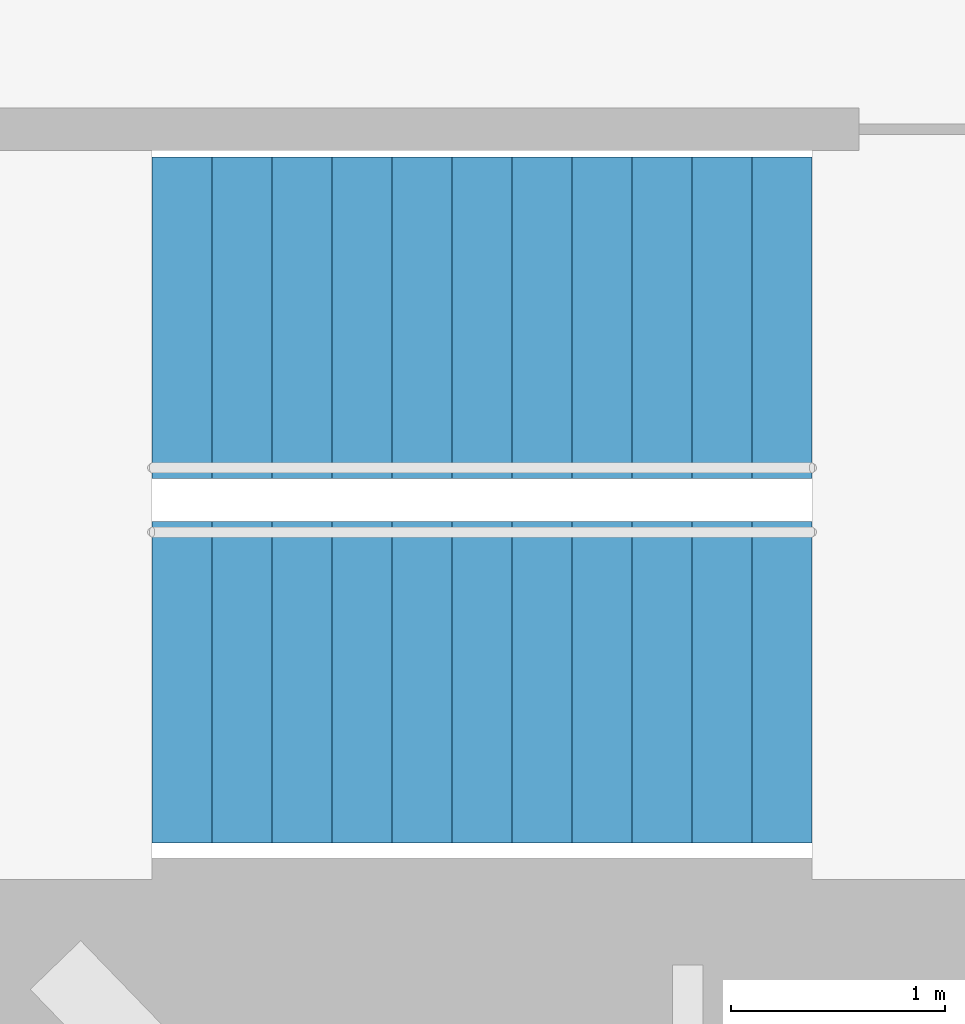
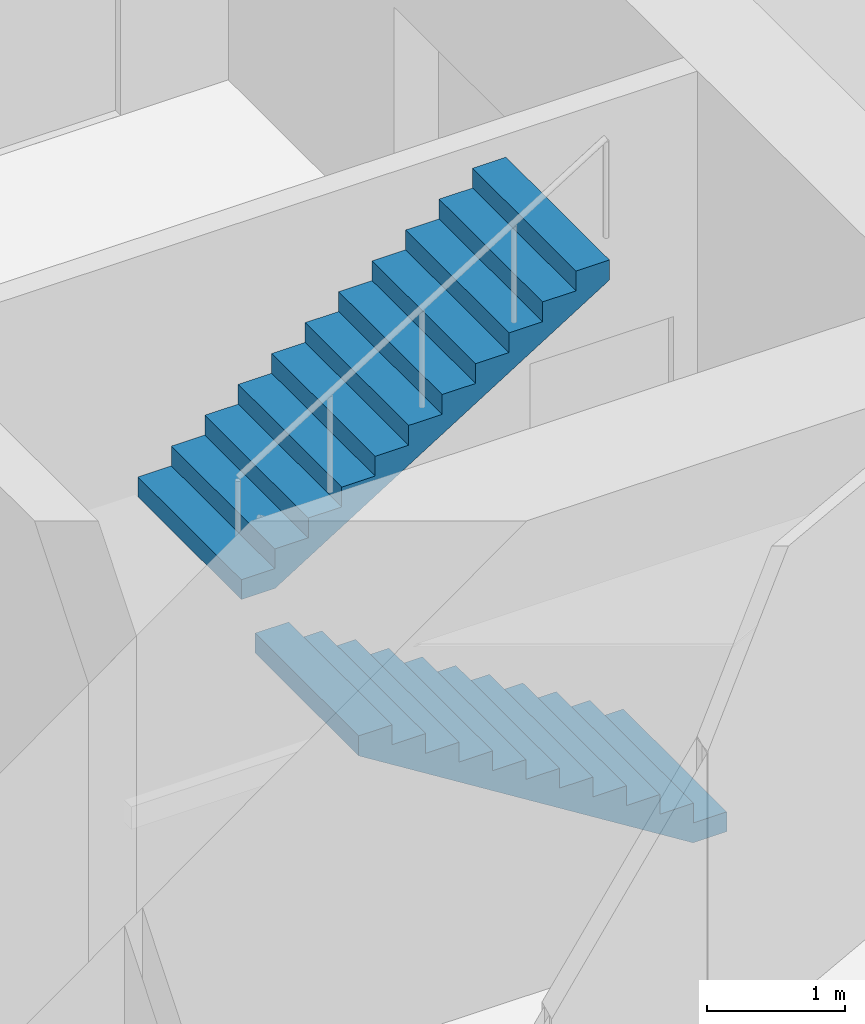
# One storey, part 16 of 17: 2 stair flights, 1 element without a shape of its own.
"""IFC4 building model written with IfcOpenShell, lengths in metres."""

from ifc_helpers import new_model, si_unit, direction, frame, origin, place, context, subcontext, project, spatial, triangles, material, type_object, element, aggregate, save


model = new_model("IFC4")

# Units and contexts
model_context = context("Model", 3, precision=1e-05, world=origin(), true_north=direction((0.0, 1.0)))
body_context = subcontext(model_context, "Body", "Model", "MODEL_VIEW")
ifc_project = project(units=[si_unit("LENGTHUNIT", "METRE"), si_unit("AREAUNIT", "SQUARE_METRE"), si_unit("VOLUMEUNIT", "CUBIC_METRE"), si_unit("PLANEANGLEUNIT", "RADIAN"), si_unit("MASSUNIT", "GRAM", prefix="KILO")], contexts=[model_context])

# Site, building, storey
site_placement = place(None, origin())
site = spatial("IfcSite", under=ifc_project, at=site_placement, CompositionType="ELEMENT")
building_placement = place(site_placement, origin())
building = spatial("IfcBuilding", under=site, at=building_placement, Name="Lantaw Convention Tower", CompositionType="ELEMENT")
storey_placement = place(building_placement, frame((0.0, 0.0, 207.39990234375)))
storey = spatial("IfcBuildingStorey", under=building, at=storey_placement, Name="L48", CompositionType="ELEMENT", Elevation=207.39990234375)

# Stair, stair flights
ifc_material = material(Name="Concrete C35/45", Category="concrete")
stair_type = type_object("IfcStairType", Name="Exit stair 1500 riser 175 in 2 flights", PredefinedType="HALF_TURN_STAIR", material=ifc_material)
stair_placement = place(storey_placement, origin())
stair = element("IfcStair", 1, at=stair_placement, inside=storey, type_object=stair_type, Name="Exit stair S2 L48", PredefinedType="HALF_TURN_STAIR")
stair_flight_type = type_object("IfcStairFlightType", Name="Stair flight 1500 riser 175", PredefinedType="STRAIGHT", material=ifc_material)
stair_flight_1_placement = place(storey_placement, frame((10.580078125, -5.97998046875, 0.0), z_axis=(0.0, 0.0, 1.0), x_axis=(-1.0, 0.0, 0.0)))
stair_flight_1 = element("IfcStairFlight", 2, at=stair_flight_1_placement, type_object=stair_flight_type, Name="S2 flight 1", NumberOfRisers=12, NumberOfTreads=11, PredefinedType="STRAIGHT", RiserHeight=0.175, TreadLength=0.28, context=body_context, shape_type="Tessellation", body=[
    triangles([(0.0, 0.75, 0.0), (0.0, 0.75, 0.175), (0.28, 0.75, 0.0), (0.28, 0.75, 0.175), (0.28, 0.75, 0.35), (0.28283517651771284, 0.75, 0.0), (0.28283517651771284, 0.75, 0.35), (0.56, 0.75, 0.17322801467642948), (0.56, 0.75, 0.35), (0.56, 0.75, 0.5249999999999999), (0.8400000000000001, 0.75, 0.34822801467642944), (0.8400000000000001, 0.75, 0.5249999999999999), (0.8400000000000001, 0.75, 0.7), (1.12, 0.75, 0.5232280146764294), (1.12, 0.75, 0.7), (1.12, 0.75, 0.875), (1.4000000000000001, 0.75, 0.6982280146764295), (1.4000000000000001, 0.75, 0.875), (1.4000000000000001, 0.75, 1.0499999999999998), (1.6800000000000002, 0.75, 0.8732280146764294), (1.6800000000000002, 0.75, 1.0499999999999998), (1.6800000000000002, 0.75, 1.2249999999999999), (1.9600000000000002, 0.75, 1.0482280146764293), (1.9600000000000002, 0.75, 1.2249999999999999), (1.9600000000000002, 0.75, 1.4), (2.24, 0.75, 1.2232280146764294), (2.24, 0.75, 1.4), (2.24, 0.75, 1.575), (2.5200000000000005, 0.75, 1.3982280146764294), (2.5200000000000005, 0.75, 1.575), (2.5200000000000005, 0.75, 1.75), (2.8000000000000003, 0.75, 1.5732280146764293), (2.8000000000000003, 0.75, 1.75), (2.8000000000000003, 0.75, 1.9249999999999998), (3.08, 0.75, 1.7482280146764293), (3.08, 0.75, 1.9249999999999998), (0.0, -0.75, 0.0), (0.0, -0.75, 0.175), (0.28, -0.75, 0.0), (0.28, -0.75, 0.175), (0.28, -0.75, 0.35), (0.28283517651771284, -0.75, 0.0), (0.28283517651771284, -0.75, 0.35), (0.56, -0.75, 0.17322801467642948), (0.56, -0.75, 0.35), (0.56, -0.75, 0.5249999999999999), (0.8400000000000001, -0.75, 0.34822801467642944), (0.8400000000000001, -0.75, 0.5249999999999999), (0.8400000000000001, -0.75, 0.7), (1.12, -0.75, 0.5232280146764294), (1.12, -0.75, 0.7), (1.12, -0.75, 0.875), (1.4000000000000001, -0.75, 0.6982280146764295), (1.4000000000000001, -0.75, 0.875), (1.4000000000000001, -0.75, 1.0499999999999998), (1.6800000000000002, -0.75, 0.8732280146764294), (1.6800000000000002, -0.75, 1.0499999999999998), (1.6800000000000002, -0.75, 1.2249999999999999), (1.9600000000000002, -0.75, 1.0482280146764293), (1.9600000000000002, -0.75, 1.2249999999999999), (1.9600000000000002, -0.75, 1.4), (2.24, -0.75, 1.2232280146764294), (2.24, -0.75, 1.4), (2.24, -0.75, 1.575), (2.5200000000000005, -0.75, 1.3982280146764294), (2.5200000000000005, -0.75, 1.575), (2.5200000000000005, -0.75, 1.75), (2.8000000000000003, -0.75, 1.5732280146764293), (2.8000000000000003, -0.75, 1.75), (2.8000000000000003, -0.75, 1.9249999999999998), (3.08, -0.75, 1.7482280146764293), (3.08, -0.75, 1.9249999999999998), (0.0, 0.15000000000000002, 0.175), (0.0, 0.15000000000000002, 0.0), (0.0, 0.0, 0.175), (0.0, 0.0, 0.0), (0.0, -0.15000000000000002, 0.175), (0.0, -0.15000000000000002, 0.0), (0.28, 0.15000000000000002, 0.35), (0.28, 0.15000000000000002, 0.175), (0.28, 0.0, 0.35), (0.28, 0.0, 0.175), (0.28, -0.15000000000000002, 0.35), (0.28, -0.15000000000000002, 0.175), (0.56, 0.15000000000000002, 0.5249999999999999), (0.56, 0.15000000000000002, 0.35), (0.56, 0.0, 0.5249999999999999), (0.56, 0.0, 0.35), (0.56, -0.15000000000000002, 0.5249999999999999), (0.56, -0.15000000000000002, 0.35), (0.8400000000000001, 0.15000000000000002, 0.7), (0.8400000000000001, 0.15000000000000002, 0.5249999999999999), (0.8400000000000001, 0.0, 0.7), (0.8400000000000001, 0.0, 0.5249999999999999), (0.8400000000000001, -0.15000000000000002, 0.7), (0.8400000000000001, -0.15000000000000002, 0.5249999999999999), (1.12, 0.15000000000000002, 0.875), (1.12, 0.15000000000000002, 0.7), (1.12, 0.0, 0.875), (1.12, 0.0, 0.7), (1.12, -0.15000000000000002, 0.875), (1.12, -0.15000000000000002, 0.7), (1.4000000000000001, 0.15000000000000002, 1.0499999999999998), (1.4000000000000001, 0.15000000000000002, 0.875), (1.4000000000000001, 0.0, 1.0499999999999998), (1.4000000000000001, 0.0, 0.875), (1.4000000000000001, -0.15000000000000002, 1.0499999999999998), (1.4000000000000001, -0.15000000000000002, 0.875), (1.6800000000000002, 0.15000000000000002, 1.2249999999999999), (1.6800000000000002, 0.15000000000000002, 1.0499999999999998), (1.6800000000000002, 0.0, 1.2249999999999999), (1.6800000000000002, 0.0, 1.0499999999999998), (1.6800000000000002, -0.15000000000000002, 1.2249999999999999), (1.6800000000000002, -0.15000000000000002, 1.0499999999999998), (1.9600000000000002, 0.15000000000000002, 1.4), (1.9600000000000002, 0.15000000000000002, 1.2249999999999999), (1.9600000000000002, 0.0, 1.4), (1.9600000000000002, 0.0, 1.2249999999999999), (1.9600000000000002, -0.15000000000000002, 1.4), (1.9600000000000002, -0.15000000000000002, 1.2249999999999999), (2.24, 0.15000000000000002, 1.575), (2.24, 0.15000000000000002, 1.4), (2.24, 0.0, 1.575), (2.24, 0.0, 1.4), (2.24, -0.15000000000000002, 1.575), (2.24, -0.15000000000000002, 1.4), (2.5200000000000005, 0.15000000000000002, 1.75), (2.5200000000000005, 0.15000000000000002, 1.575), (2.5200000000000005, 0.0, 1.75), (2.5200000000000005, 0.0, 1.575), (2.5200000000000005, -0.15000000000000002, 1.75), (2.5200000000000005, -0.15000000000000002, 1.575), (2.8000000000000003, 0.15000000000000002, 1.9249999999999998), (2.8000000000000003, 0.15000000000000002, 1.75), (2.8000000000000003, 0.0, 1.9249999999999998), (2.8000000000000003, 0.0, 1.75), (2.8000000000000003, -0.15000000000000002, 1.9249999999999998), (2.8000000000000003, -0.15000000000000002, 1.75), (0.28283517651771284, 0.15000000000000002, 0.35), (0.28283517651771284, 0.0, 0.35), (0.28283517651771284, -0.15000000000000002, 0.35), (3.08, 0.15000000000000002, 1.9249999999999998), (3.08, 0.0, 1.9249999999999998), (3.08, -0.15000000000000002, 1.9249999999999998), (3.08, 0.15000000000000002, 1.7482280146764293), (3.08, 0.0, 1.7482280146764293), (3.08, -0.15000000000000002, 1.7482280146764293), (2.8000000000000003, 0.15000000000000002, 1.5732280146764293), (2.8000000000000003, 0.0, 1.5732280146764293), (2.8000000000000003, -0.15000000000000002, 1.5732280146764293), (2.5200000000000005, 0.15000000000000002, 1.3982280146764294), (2.5200000000000005, 0.0, 1.3982280146764294), (2.5200000000000005, -0.15000000000000002, 1.3982280146764294), (2.24, 0.15000000000000002, 1.2232280146764294), (2.24, 0.0, 1.2232280146764294), (2.24, -0.15000000000000002, 1.2232280146764294), (1.9600000000000002, 0.15000000000000002, 1.0482280146764293), (1.9600000000000002, 0.0, 1.0482280146764293), (1.9600000000000002, -0.15000000000000002, 1.0482280146764293), (1.6800000000000002, 0.15000000000000002, 0.8732280146764294), (1.6800000000000002, 0.0, 0.8732280146764294), (1.6800000000000002, -0.15000000000000002, 0.8732280146764294), (1.4000000000000001, 0.15000000000000002, 0.6982280146764295), (1.4000000000000001, 0.0, 0.6982280146764295), (1.4000000000000001, -0.15000000000000002, 0.6982280146764295), (1.12, 0.15000000000000002, 0.5232280146764294), (1.12, 0.0, 0.5232280146764294), (1.12, -0.15000000000000002, 0.5232280146764294), (0.8400000000000001, 0.15000000000000002, 0.34822801467642944), (0.8400000000000001, 0.0, 0.34822801467642944), (0.8400000000000001, -0.15000000000000002, 0.34822801467642944), (0.56, 0.15000000000000002, 0.17322801467642948), (0.56, 0.0, 0.17322801467642948), (0.56, -0.15000000000000002, 0.17322801467642948), (0.28283517651771284, 0.15000000000000002, 0.0), (0.28283517651771284, 0.0, 0.0), (0.28283517651771284, -0.15000000000000002, 0.0), (0.28, 0.15000000000000002, 0.0), (0.28, 0.0, 0.0), (0.28, -0.15000000000000002, 0.0)], [[1, 4, 3], [1, 2, 4], [3, 4, 6], [4, 7, 6], [4, 5, 7], [6, 9, 8], [6, 7, 9], [8, 9, 11], [9, 12, 11], [9, 10, 12], [11, 12, 14], [12, 15, 14], [12, 13, 15], [14, 15, 17], [15, 18, 17], [15, 16, 18], [17, 18, 20], [18, 21, 20], [18, 19, 21], [20, 21, 23], [21, 24, 23], [21, 22, 24], [23, 24, 26], [24, 27, 26], [24, 25, 27], [26, 27, 29], [27, 30, 29], [27, 28, 30], [29, 30, 32], [30, 33, 32], [30, 31, 33], [32, 33, 35], [33, 36, 35], [33, 34, 36], [37, 39, 40], [37, 40, 38], [39, 42, 40], [40, 42, 43], [40, 43, 41], [42, 44, 45], [42, 45, 43], [44, 47, 45], [45, 47, 48], [45, 48, 46], [47, 50, 48], [48, 50, 51], [48, 51, 49], [50, 53, 51], [51, 53, 54], [51, 54, 52], [53, 56, 54], [54, 56, 57], [54, 57, 55], [56, 59, 57], [57, 59, 60], [57, 60, 58], [59, 62, 60], [60, 62, 63], [60, 63, 61], [62, 65, 63], [63, 65, 66], [63, 66, 64], [65, 68, 66], [66, 68, 69], [66, 69, 67], [68, 71, 69], [69, 71, 72], [69, 72, 70], [1, 73, 2], [1, 74, 73], [74, 75, 73], [74, 76, 75], [76, 77, 75], [76, 78, 77], [78, 38, 77], [78, 37, 38], [4, 79, 5], [4, 80, 79], [80, 81, 79], [80, 82, 81], [82, 83, 81], [82, 84, 83], [84, 41, 83], [84, 40, 41], [9, 85, 10], [9, 86, 85], [86, 87, 85], [86, 88, 87], [88, 89, 87], [88, 90, 89], [90, 46, 89], [90, 45, 46], [12, 91, 13], [12, 92, 91], [92, 93, 91], [92, 94, 93], [94, 95, 93], [94, 96, 95], [96, 49, 95], [96, 48, 49], [15, 97, 16], [15, 98, 97], [98, 99, 97], [98, 100, 99], [100, 101, 99], [100, 102, 101], [102, 52, 101], [102, 51, 52], [18, 103, 19], [18, 104, 103], [104, 105, 103], [104, 106, 105], [106, 107, 105], [106, 108, 107], [108, 55, 107], [108, 54, 55], [21, 109, 22], [21, 110, 109], [110, 111, 109], [110, 112, 111], [112, 113, 111], [112, 114, 113], [114, 58, 113], [114, 57, 58], [24, 115, 25], [24, 116, 115], [116, 117, 115], [116, 118, 117], [118, 119, 117], [118, 120, 119], [120, 61, 119], [120, 60, 61], [27, 121, 28], [27, 122, 121], [122, 123, 121], [122, 124, 123], [124, 125, 123], [124, 126, 125], [126, 64, 125], [126, 63, 64], [30, 127, 31], [30, 128, 127], [128, 129, 127], [128, 130, 129], [130, 131, 129], [130, 132, 131], [132, 67, 131], [132, 66, 67], [33, 133, 34], [33, 134, 133], [134, 135, 133], [134, 136, 135], [136, 137, 135], [136, 138, 137], [138, 70, 137], [138, 69, 70], [2, 80, 4], [2, 73, 80], [73, 82, 80], [73, 75, 82], [75, 84, 82], [75, 77, 84], [77, 40, 84], [77, 38, 40], [5, 139, 7], [5, 79, 139], [79, 140, 139], [79, 81, 140], [81, 141, 140], [81, 83, 141], [83, 43, 141], [83, 41, 43], [7, 86, 9], [7, 139, 86], [139, 88, 86], [139, 140, 88], [140, 90, 88], [140, 141, 90], [141, 45, 90], [141, 43, 45], [10, 92, 12], [10, 85, 92], [85, 94, 92], [85, 87, 94], [87, 96, 94], [87, 89, 96], [89, 48, 96], [89, 46, 48], [13, 98, 15], [13, 91, 98], [91, 100, 98], [91, 93, 100], [93, 102, 100], [93, 95, 102], [95, 51, 102], [95, 49, 51], [16, 104, 18], [16, 97, 104], [97, 106, 104], [97, 99, 106], [99, 108, 106], [99, 101, 108], [101, 54, 108], [101, 52, 54], [19, 110, 21], [19, 103, 110], [103, 112, 110], [103, 105, 112], [105, 114, 112], [105, 107, 114], [107, 57, 114], [107, 55, 57], [22, 116, 24], [22, 109, 116], [109, 118, 116], [109, 111, 118], [111, 120, 118], [111, 113, 120], [113, 60, 120], [113, 58, 60], [25, 122, 27], [25, 115, 122], [115, 124, 122], [115, 117, 124], [117, 126, 124], [117, 119, 126], [119, 63, 126], [119, 61, 63], [28, 128, 30], [28, 121, 128], [121, 130, 128], [121, 123, 130], [123, 132, 130], [123, 125, 132], [125, 66, 132], [125, 64, 66], [31, 134, 33], [31, 127, 134], [127, 136, 134], [127, 129, 136], [129, 138, 136], [129, 131, 138], [131, 69, 138], [131, 67, 69], [34, 142, 36], [34, 133, 142], [133, 143, 142], [133, 135, 143], [135, 144, 143], [135, 137, 144], [137, 72, 144], [137, 70, 72], [36, 145, 35], [36, 142, 145], [142, 146, 145], [142, 143, 146], [143, 147, 146], [143, 144, 147], [144, 71, 147], [144, 72, 71], [35, 148, 32], [35, 145, 148], [145, 149, 148], [145, 146, 149], [146, 150, 149], [146, 147, 150], [147, 68, 150], [147, 71, 68], [32, 151, 29], [32, 148, 151], [148, 152, 151], [148, 149, 152], [149, 153, 152], [149, 150, 153], [150, 65, 153], [150, 68, 65], [29, 154, 26], [29, 151, 154], [151, 155, 154], [151, 152, 155], [152, 156, 155], [152, 153, 156], [153, 62, 156], [153, 65, 62], [26, 157, 23], [26, 154, 157], [154, 158, 157], [154, 155, 158], [155, 159, 158], [155, 156, 159], [156, 59, 159], [156, 62, 59], [23, 160, 20], [23, 157, 160], [157, 161, 160], [157, 158, 161], [158, 162, 161], [158, 159, 162], [159, 56, 162], [159, 59, 56], [20, 163, 17], [20, 160, 163], [160, 164, 163], [160, 161, 164], [161, 165, 164], [161, 162, 165], [162, 53, 165], [162, 56, 53], [17, 166, 14], [17, 163, 166], [163, 167, 166], [163, 164, 167], [164, 168, 167], [164, 165, 168], [165, 50, 168], [165, 53, 50], [14, 169, 11], [14, 166, 169], [166, 170, 169], [166, 167, 170], [167, 171, 170], [167, 168, 171], [168, 47, 171], [168, 50, 47], [11, 172, 8], [11, 169, 172], [169, 173, 172], [169, 170, 173], [170, 174, 173], [170, 171, 174], [171, 44, 174], [171, 47, 44], [8, 175, 6], [8, 172, 175], [172, 176, 175], [172, 173, 176], [173, 177, 176], [173, 174, 177], [174, 42, 177], [174, 44, 42], [6, 178, 3], [6, 175, 178], [175, 179, 178], [175, 176, 179], [176, 180, 179], [176, 177, 180], [177, 39, 180], [177, 42, 39], [3, 74, 1], [3, 178, 74], [178, 76, 74], [178, 179, 76], [179, 78, 76], [179, 180, 78], [180, 37, 78], [180, 39, 37]], closed=True),
])
stair_flight_2_placement = place(storey_placement, frame((7.5, -4.280029296875, 2.10009765625), z_axis=(0.0, 0.0, 1.0), x_axis=(1.0, 0.0, 0.0)))
stair_flight_2 = element("IfcStairFlight", 3, at=stair_flight_2_placement, type_object=stair_flight_type, Name="S2 flight 2", NumberOfRisers=12, NumberOfTreads=11, PredefinedType="STRAIGHT", RiserHeight=0.175, TreadLength=0.28, context=body_context, shape_type="Tessellation", body=[
    triangles([(0.0, 0.75, 0.0), (0.0, 0.75, 0.175), (0.28, 0.75, 0.0), (0.28, 0.75, 0.175), (0.28, 0.75, 0.35), (0.28283517651771284, 0.75, 0.0), (0.28283517651771284, 0.75, 0.35), (0.56, 0.75, 0.17322801467642948), (0.56, 0.75, 0.35), (0.56, 0.75, 0.5249999999999999), (0.8400000000000001, 0.75, 0.34822801467642944), (0.8400000000000001, 0.75, 0.5249999999999999), (0.8400000000000001, 0.75, 0.7), (1.12, 0.75, 0.5232280146764294), (1.12, 0.75, 0.7), (1.12, 0.75, 0.875), (1.4000000000000001, 0.75, 0.6982280146764295), (1.4000000000000001, 0.75, 0.875), (1.4000000000000001, 0.75, 1.0499999999999998), (1.6800000000000002, 0.75, 0.8732280146764294), (1.6800000000000002, 0.75, 1.0499999999999998), (1.6800000000000002, 0.75, 1.2249999999999999), (1.9600000000000002, 0.75, 1.0482280146764293), (1.9600000000000002, 0.75, 1.2249999999999999), (1.9600000000000002, 0.75, 1.4), (2.24, 0.75, 1.2232280146764294), (2.24, 0.75, 1.4), (2.24, 0.75, 1.575), (2.5200000000000005, 0.75, 1.3982280146764294), (2.5200000000000005, 0.75, 1.575), (2.5200000000000005, 0.75, 1.75), (2.8000000000000003, 0.75, 1.5732280146764293), (2.8000000000000003, 0.75, 1.75), (2.8000000000000003, 0.75, 1.9249999999999998), (3.08, 0.75, 1.7482280146764293), (3.08, 0.75, 1.9249999999999998), (0.0, -0.75, 0.0), (0.0, -0.75, 0.175), (0.28, -0.75, 0.0), (0.28, -0.75, 0.175), (0.28, -0.75, 0.35), (0.28283517651771284, -0.75, 0.0), (0.28283517651771284, -0.75, 0.35), (0.56, -0.75, 0.17322801467642948), (0.56, -0.75, 0.35), (0.56, -0.75, 0.5249999999999999), (0.8400000000000001, -0.75, 0.34822801467642944), (0.8400000000000001, -0.75, 0.5249999999999999), (0.8400000000000001, -0.75, 0.7), (1.12, -0.75, 0.5232280146764294), (1.12, -0.75, 0.7), (1.12, -0.75, 0.875), (1.4000000000000001, -0.75, 0.6982280146764295), (1.4000000000000001, -0.75, 0.875), (1.4000000000000001, -0.75, 1.0499999999999998), (1.6800000000000002, -0.75, 0.8732280146764294), (1.6800000000000002, -0.75, 1.0499999999999998), (1.6800000000000002, -0.75, 1.2249999999999999), (1.9600000000000002, -0.75, 1.0482280146764293), (1.9600000000000002, -0.75, 1.2249999999999999), (1.9600000000000002, -0.75, 1.4), (2.24, -0.75, 1.2232280146764294), (2.24, -0.75, 1.4), (2.24, -0.75, 1.575), (2.5200000000000005, -0.75, 1.3982280146764294), (2.5200000000000005, -0.75, 1.575), (2.5200000000000005, -0.75, 1.75), (2.8000000000000003, -0.75, 1.5732280146764293), (2.8000000000000003, -0.75, 1.75), (2.8000000000000003, -0.75, 1.9249999999999998), (3.08, -0.75, 1.7482280146764293), (3.08, -0.75, 1.9249999999999998), (0.0, 0.15000000000000002, 0.175), (0.0, 0.15000000000000002, 0.0), (0.0, 0.0, 0.175), (0.0, 0.0, 0.0), (0.0, -0.15000000000000002, 0.175), (0.0, -0.15000000000000002, 0.0), (0.28, 0.15000000000000002, 0.35), (0.28, 0.15000000000000002, 0.175), (0.28, 0.0, 0.35), (0.28, 0.0, 0.175), (0.28, -0.15000000000000002, 0.35), (0.28, -0.15000000000000002, 0.175), (0.56, 0.15000000000000002, 0.5249999999999999), (0.56, 0.15000000000000002, 0.35), (0.56, 0.0, 0.5249999999999999), (0.56, 0.0, 0.35), (0.56, -0.15000000000000002, 0.5249999999999999), (0.56, -0.15000000000000002, 0.35), (0.8400000000000001, 0.15000000000000002, 0.7), (0.8400000000000001, 0.15000000000000002, 0.5249999999999999), (0.8400000000000001, 0.0, 0.7), (0.8400000000000001, 0.0, 0.5249999999999999), (0.8400000000000001, -0.15000000000000002, 0.7), (0.8400000000000001, -0.15000000000000002, 0.5249999999999999), (1.12, 0.15000000000000002, 0.875), (1.12, 0.15000000000000002, 0.7), (1.12, 0.0, 0.875), (1.12, 0.0, 0.7), (1.12, -0.15000000000000002, 0.875), (1.12, -0.15000000000000002, 0.7), (1.4000000000000001, 0.15000000000000002, 1.0499999999999998), (1.4000000000000001, 0.15000000000000002, 0.875), (1.4000000000000001, 0.0, 1.0499999999999998), (1.4000000000000001, 0.0, 0.875), (1.4000000000000001, -0.15000000000000002, 1.0499999999999998), (1.4000000000000001, -0.15000000000000002, 0.875), (1.6800000000000002, 0.15000000000000002, 1.2249999999999999), (1.6800000000000002, 0.15000000000000002, 1.0499999999999998), (1.6800000000000002, 0.0, 1.2249999999999999), (1.6800000000000002, 0.0, 1.0499999999999998), (1.6800000000000002, -0.15000000000000002, 1.2249999999999999), (1.6800000000000002, -0.15000000000000002, 1.0499999999999998), (1.9600000000000002, 0.15000000000000002, 1.4), (1.9600000000000002, 0.15000000000000002, 1.2249999999999999), (1.9600000000000002, 0.0, 1.4), (1.9600000000000002, 0.0, 1.2249999999999999), (1.9600000000000002, -0.15000000000000002, 1.4), (1.9600000000000002, -0.15000000000000002, 1.2249999999999999), (2.24, 0.15000000000000002, 1.575), (2.24, 0.15000000000000002, 1.4), (2.24, 0.0, 1.575), (2.24, 0.0, 1.4), (2.24, -0.15000000000000002, 1.575), (2.24, -0.15000000000000002, 1.4), (2.5200000000000005, 0.15000000000000002, 1.75), (2.5200000000000005, 0.15000000000000002, 1.575), (2.5200000000000005, 0.0, 1.75), (2.5200000000000005, 0.0, 1.575), (2.5200000000000005, -0.15000000000000002, 1.75), (2.5200000000000005, -0.15000000000000002, 1.575), (2.8000000000000003, 0.15000000000000002, 1.9249999999999998), (2.8000000000000003, 0.15000000000000002, 1.75), (2.8000000000000003, 0.0, 1.9249999999999998), (2.8000000000000003, 0.0, 1.75), (2.8000000000000003, -0.15000000000000002, 1.9249999999999998), (2.8000000000000003, -0.15000000000000002, 1.75), (0.28283517651771284, 0.15000000000000002, 0.35), (0.28283517651771284, 0.0, 0.35), (0.28283517651771284, -0.15000000000000002, 0.35), (3.08, 0.15000000000000002, 1.9249999999999998), (3.08, 0.0, 1.9249999999999998), (3.08, -0.15000000000000002, 1.9249999999999998), (3.08, 0.15000000000000002, 1.7482280146764293), (3.08, 0.0, 1.7482280146764293), (3.08, -0.15000000000000002, 1.7482280146764293), (2.8000000000000003, 0.15000000000000002, 1.5732280146764293), (2.8000000000000003, 0.0, 1.5732280146764293), (2.8000000000000003, -0.15000000000000002, 1.5732280146764293), (2.5200000000000005, 0.15000000000000002, 1.3982280146764294), (2.5200000000000005, 0.0, 1.3982280146764294), (2.5200000000000005, -0.15000000000000002, 1.3982280146764294), (2.24, 0.15000000000000002, 1.2232280146764294), (2.24, 0.0, 1.2232280146764294), (2.24, -0.15000000000000002, 1.2232280146764294), (1.9600000000000002, 0.15000000000000002, 1.0482280146764293), (1.9600000000000002, 0.0, 1.0482280146764293), (1.9600000000000002, -0.15000000000000002, 1.0482280146764293), (1.6800000000000002, 0.15000000000000002, 0.8732280146764294), (1.6800000000000002, 0.0, 0.8732280146764294), (1.6800000000000002, -0.15000000000000002, 0.8732280146764294), (1.4000000000000001, 0.15000000000000002, 0.6982280146764295), (1.4000000000000001, 0.0, 0.6982280146764295), (1.4000000000000001, -0.15000000000000002, 0.6982280146764295), (1.12, 0.15000000000000002, 0.5232280146764294), (1.12, 0.0, 0.5232280146764294), (1.12, -0.15000000000000002, 0.5232280146764294), (0.8400000000000001, 0.15000000000000002, 0.34822801467642944), (0.8400000000000001, 0.0, 0.34822801467642944), (0.8400000000000001, -0.15000000000000002, 0.34822801467642944), (0.56, 0.15000000000000002, 0.17322801467642948), (0.56, 0.0, 0.17322801467642948), (0.56, -0.15000000000000002, 0.17322801467642948), (0.28283517651771284, 0.15000000000000002, 0.0), (0.28283517651771284, 0.0, 0.0), (0.28283517651771284, -0.15000000000000002, 0.0), (0.28, 0.15000000000000002, 0.0), (0.28, 0.0, 0.0), (0.28, -0.15000000000000002, 0.0)], [[1, 4, 3], [1, 2, 4], [3, 4, 6], [4, 7, 6], [4, 5, 7], [6, 9, 8], [6, 7, 9], [8, 9, 11], [9, 12, 11], [9, 10, 12], [11, 12, 14], [12, 15, 14], [12, 13, 15], [14, 15, 17], [15, 18, 17], [15, 16, 18], [17, 18, 20], [18, 21, 20], [18, 19, 21], [20, 21, 23], [21, 24, 23], [21, 22, 24], [23, 24, 26], [24, 27, 26], [24, 25, 27], [26, 27, 29], [27, 30, 29], [27, 28, 30], [29, 30, 32], [30, 33, 32], [30, 31, 33], [32, 33, 35], [33, 36, 35], [33, 34, 36], [37, 39, 40], [37, 40, 38], [39, 42, 40], [40, 42, 43], [40, 43, 41], [42, 44, 45], [42, 45, 43], [44, 47, 45], [45, 47, 48], [45, 48, 46], [47, 50, 48], [48, 50, 51], [48, 51, 49], [50, 53, 51], [51, 53, 54], [51, 54, 52], [53, 56, 54], [54, 56, 57], [54, 57, 55], [56, 59, 57], [57, 59, 60], [57, 60, 58], [59, 62, 60], [60, 62, 63], [60, 63, 61], [62, 65, 63], [63, 65, 66], [63, 66, 64], [65, 68, 66], [66, 68, 69], [66, 69, 67], [68, 71, 69], [69, 71, 72], [69, 72, 70], [1, 73, 2], [1, 74, 73], [74, 75, 73], [74, 76, 75], [76, 77, 75], [76, 78, 77], [78, 38, 77], [78, 37, 38], [4, 79, 5], [4, 80, 79], [80, 81, 79], [80, 82, 81], [82, 83, 81], [82, 84, 83], [84, 41, 83], [84, 40, 41], [9, 85, 10], [9, 86, 85], [86, 87, 85], [86, 88, 87], [88, 89, 87], [88, 90, 89], [90, 46, 89], [90, 45, 46], [12, 91, 13], [12, 92, 91], [92, 93, 91], [92, 94, 93], [94, 95, 93], [94, 96, 95], [96, 49, 95], [96, 48, 49], [15, 97, 16], [15, 98, 97], [98, 99, 97], [98, 100, 99], [100, 101, 99], [100, 102, 101], [102, 52, 101], [102, 51, 52], [18, 103, 19], [18, 104, 103], [104, 105, 103], [104, 106, 105], [106, 107, 105], [106, 108, 107], [108, 55, 107], [108, 54, 55], [21, 109, 22], [21, 110, 109], [110, 111, 109], [110, 112, 111], [112, 113, 111], [112, 114, 113], [114, 58, 113], [114, 57, 58], [24, 115, 25], [24, 116, 115], [116, 117, 115], [116, 118, 117], [118, 119, 117], [118, 120, 119], [120, 61, 119], [120, 60, 61], [27, 121, 28], [27, 122, 121], [122, 123, 121], [122, 124, 123], [124, 125, 123], [124, 126, 125], [126, 64, 125], [126, 63, 64], [30, 127, 31], [30, 128, 127], [128, 129, 127], [128, 130, 129], [130, 131, 129], [130, 132, 131], [132, 67, 131], [132, 66, 67], [33, 133, 34], [33, 134, 133], [134, 135, 133], [134, 136, 135], [136, 137, 135], [136, 138, 137], [138, 70, 137], [138, 69, 70], [2, 80, 4], [2, 73, 80], [73, 82, 80], [73, 75, 82], [75, 84, 82], [75, 77, 84], [77, 40, 84], [77, 38, 40], [5, 139, 7], [5, 79, 139], [79, 140, 139], [79, 81, 140], [81, 141, 140], [81, 83, 141], [83, 43, 141], [83, 41, 43], [7, 86, 9], [7, 139, 86], [139, 88, 86], [139, 140, 88], [140, 90, 88], [140, 141, 90], [141, 45, 90], [141, 43, 45], [10, 92, 12], [10, 85, 92], [85, 94, 92], [85, 87, 94], [87, 96, 94], [87, 89, 96], [89, 48, 96], [89, 46, 48], [13, 98, 15], [13, 91, 98], [91, 100, 98], [91, 93, 100], [93, 102, 100], [93, 95, 102], [95, 51, 102], [95, 49, 51], [16, 104, 18], [16, 97, 104], [97, 106, 104], [97, 99, 106], [99, 108, 106], [99, 101, 108], [101, 54, 108], [101, 52, 54], [19, 110, 21], [19, 103, 110], [103, 112, 110], [103, 105, 112], [105, 114, 112], [105, 107, 114], [107, 57, 114], [107, 55, 57], [22, 116, 24], [22, 109, 116], [109, 118, 116], [109, 111, 118], [111, 120, 118], [111, 113, 120], [113, 60, 120], [113, 58, 60], [25, 122, 27], [25, 115, 122], [115, 124, 122], [115, 117, 124], [117, 126, 124], [117, 119, 126], [119, 63, 126], [119, 61, 63], [28, 128, 30], [28, 121, 128], [121, 130, 128], [121, 123, 130], [123, 132, 130], [123, 125, 132], [125, 66, 132], [125, 64, 66], [31, 134, 33], [31, 127, 134], [127, 136, 134], [127, 129, 136], [129, 138, 136], [129, 131, 138], [131, 69, 138], [131, 67, 69], [34, 142, 36], [34, 133, 142], [133, 143, 142], [133, 135, 143], [135, 144, 143], [135, 137, 144], [137, 72, 144], [137, 70, 72], [36, 145, 35], [36, 142, 145], [142, 146, 145], [142, 143, 146], [143, 147, 146], [143, 144, 147], [144, 71, 147], [144, 72, 71], [35, 148, 32], [35, 145, 148], [145, 149, 148], [145, 146, 149], [146, 150, 149], [146, 147, 150], [147, 68, 150], [147, 71, 68], [32, 151, 29], [32, 148, 151], [148, 152, 151], [148, 149, 152], [149, 153, 152], [149, 150, 153], [150, 65, 153], [150, 68, 65], [29, 154, 26], [29, 151, 154], [151, 155, 154], [151, 152, 155], [152, 156, 155], [152, 153, 156], [153, 62, 156], [153, 65, 62], [26, 157, 23], [26, 154, 157], [154, 158, 157], [154, 155, 158], [155, 159, 158], [155, 156, 159], [156, 59, 159], [156, 62, 59], [23, 160, 20], [23, 157, 160], [157, 161, 160], [157, 158, 161], [158, 162, 161], [158, 159, 162], [159, 56, 162], [159, 59, 56], [20, 163, 17], [20, 160, 163], [160, 164, 163], [160, 161, 164], [161, 165, 164], [161, 162, 165], [162, 53, 165], [162, 56, 53], [17, 166, 14], [17, 163, 166], [163, 167, 166], [163, 164, 167], [164, 168, 167], [164, 165, 168], [165, 50, 168], [165, 53, 50], [14, 169, 11], [14, 166, 169], [166, 170, 169], [166, 167, 170], [167, 171, 170], [167, 168, 171], [168, 47, 171], [168, 50, 47], [11, 172, 8], [11, 169, 172], [169, 173, 172], [169, 170, 173], [170, 174, 173], [170, 171, 174], [171, 44, 174], [171, 47, 44], [8, 175, 6], [8, 172, 175], [172, 176, 175], [172, 173, 176], [173, 177, 176], [173, 174, 177], [174, 42, 177], [174, 44, 42], [6, 178, 3], [6, 175, 178], [175, 179, 178], [175, 176, 179], [176, 180, 179], [176, 177, 180], [177, 39, 180], [177, 42, 39], [3, 74, 1], [3, 178, 74], [178, 76, 74], [178, 179, 76], [179, 78, 76], [179, 180, 78], [180, 37, 78], [180, 39, 37]], closed=True),
])
aggregate(stair, [stair_flight_1, stair_flight_2])

save(model, "model.ifc")
